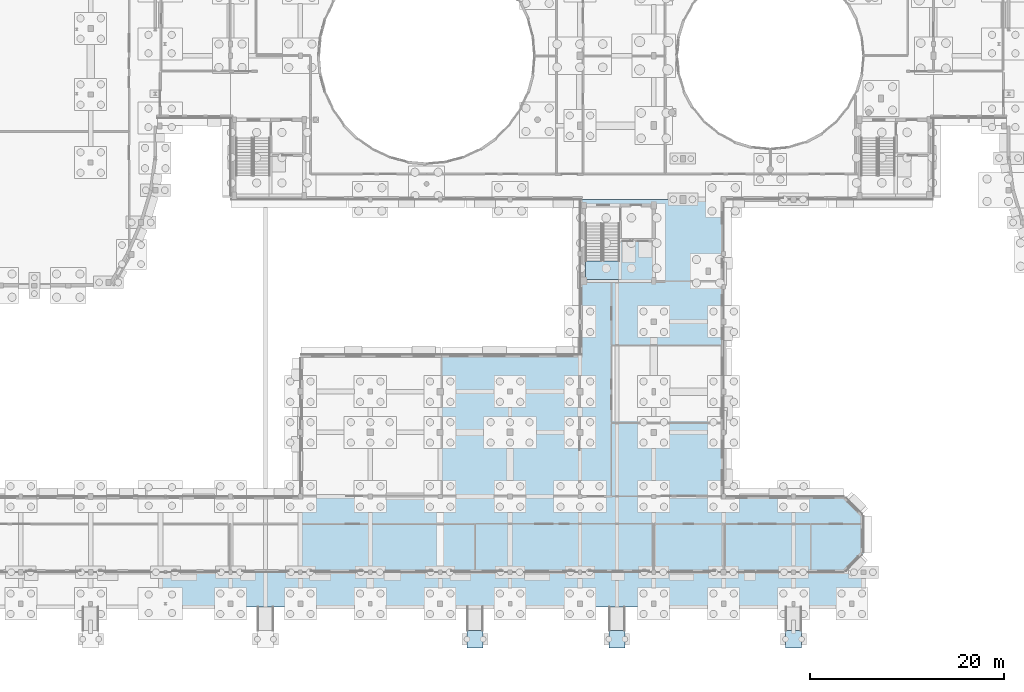
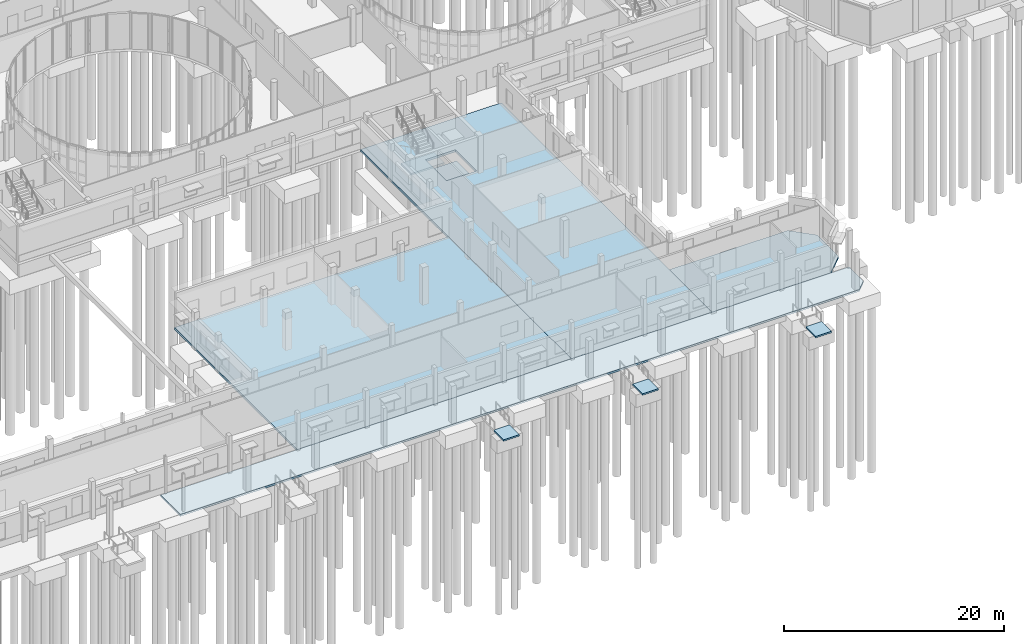
# One storey, part 50 of 93: 9 slabs, 4 elements without a shape of their own.
"""IFC4 building model written with IfcOpenShell, lengths in metres."""

from ifc_helpers import new_model, si_unit, direction, frame, origin, place, context, subcontext, project, spatial, polyline, outline, extrude, material, layer, layer_set, type_object, element, aggregate, save


model = new_model("IFC4")

# Units and contexts
model_context = context("Model", 3, precision=1e-05, world=origin(), true_north=direction((0.0, 1.0)))
body_context = subcontext(model_context, "Body", "Model", "MODEL_VIEW")
ifc_project = project(units=[si_unit("LENGTHUNIT", "METRE"), si_unit("AREAUNIT", "SQUARE_METRE"), si_unit("VOLUMEUNIT", "CUBIC_METRE"), si_unit("PLANEANGLEUNIT", "RADIAN"), si_unit("MASSUNIT", "GRAM", prefix="KILO")], contexts=[model_context])

# Site, building, storey
site_placement = place(None, origin())
site = spatial("IfcSite", under=ifc_project, at=site_placement, CompositionType="ELEMENT")
building_placement = place(site_placement, origin())
building = spatial("IfcBuilding", under=site, at=building_placement, Name="Kelanivale Promenade Academy", CompositionType="ELEMENT")
storey_placement = place(building_placement, origin())
storey = spatial("IfcBuildingStorey", under=building, at=storey_placement, Name="L00", CompositionType="ELEMENT", Elevation=0.0)

# Slabs
ifc_material = material(Name="Concrete C35/45", Category="concrete")
ifc_layer_1 = layer(ifc_material, 0.25)
ifc_layer_set_1 = layer_set([ifc_layer_1], Name="Concrete C35/45")
slab_type_1 = type_object("IfcSlabType", Name="BS-01 Slab 250mm", PredefinedType="BASESLAB", material=ifc_layer_set_1)
slab_1_placement = place(storey_placement, frame((0.0, 0.0, -0.25)))
element("IfcSlab", 1, at=slab_1_placement, inside=storey, type_object=slab_type_1, Name="L00 structural slab SLB-L00-V3M", PredefinedType="BASESLAB", context=body_context, shape_type="SweptSolid", body=[
    extrude(outline(polyline([(50.39990234375, 26.0), (50.39990234375, 3.60009765625), (79.199951171875, 3.60009765625), (79.199951171875, 26.0), (50.39990234375, 26.0)])), origin(), (0.0, 0.0, 1.0), 0.25),
])
slab_2_placement = place(storey_placement, frame((0.0, 0.0, -0.25)))
element("IfcSlab", 2, at=slab_2_placement, inside=storey, type_object=slab_type_1, Name="L00 structural slab SLB-L00-V3L", PredefinedType="BASESLAB", context=body_context, shape_type="SweptSolid", body=[
    extrude(outline(polyline([(79.199951171875, 42.0), (79.199951171875, 3.60009765625), (94.0, 3.60009765625), (94.0, 42.0), (79.199951171875, 42.0)]), holes=[polyline([(83.485107421875, 33.764892578125), (83.485107421875, 37.625), (86.635009765625, 37.625), (86.635009765625, 33.764892578125), (83.485107421875, 33.764892578125)])]), origin(), (0.0, 0.0, 1.0), 0.25),
])
slab_3_placement = place(storey_placement, frame((0.0, 0.0, -0.25)))
element("IfcSlab", 3, at=slab_3_placement, inside=storey, type_object=slab_type_1, Name="L00 structural slab SLB-L00-V3C", PredefinedType="BASESLAB", context=body_context, shape_type="SweptSolid", body=[
    extrude(outline(polyline([(106.446044921875, 3.60009765625), (108.39990234375, 5.553955078125), (108.39990234375, 9.446044921875), (106.446044921875, 11.39990234375), (94.0, 11.39990234375), (94.0, 3.60009765625), (106.446044921875, 3.60009765625)])), origin(), (0.0, 0.0, 1.0), 0.25),
])
ifc_layer_2 = layer(ifc_material, 0.300048828125)
ifc_layer_set_2 = layer_set([ifc_layer_2], Name="Concrete C35/45")
slab_type_2 = type_object("IfcSlabType", Name="BS-02 Slab 300mm", PredefinedType="BASESLAB", material=ifc_layer_set_2)
slab_4_placement = place(storey_placement, frame((0.0, 0.0, -1.85009765625)))
element("IfcSlab", 4, at=slab_4_placement, inside=storey, type_object=slab_type_2, Name="CORE-1 lift pit waterproof RC base slab (-1.550 m)", PredefinedType="BASESLAB", context=body_context, shape_type="SweptSolid", body=[
    extrude(outline(polyline([(83.155029296875, 33.43505859375), (86.965087890625, 33.43505859375), (86.965087890625, 37.955078125), (83.155029296875, 37.955078125), (83.155029296875, 33.43505859375)])), origin(), (0.0, 0.0, 1.0), 0.300048828125),
])

# Stair, slab
stair_type = type_object("IfcStairType", Name="ST-T01 Protected dog-leg ground-storey stai", PredefinedType="HALF_TURN_STAIR", material=ifc_material)
stair_placement = place(storey_placement, origin())
stair = element("IfcStair", 5, at=stair_placement, inside=storey, type_object=stair_type, Name="L00 ST-01", PredefinedType="HALF_TURN_STAIR")
ifc_layer_3 = layer(ifc_material, 0.199951171875)
ifc_layer_set_3 = layer_set([ifc_layer_3], Name="Concrete C35/45")
slab_type_3 = type_object("IfcSlabType", Name="LS-01 Slab 200mm", PredefinedType="LANDING", material=ifc_layer_set_3)
slab_5_placement = place(storey_placement, frame((0.0, 0.0, 1.89990234375)))
slab_5 = element("IfcSlab", 6, at=slab_5_placement, type_object=slab_type_3, Name="ST-01 landing 1", PredefinedType="LANDING", context=body_context, shape_type="SweptSolid", body=[
    extrude(outline(polyline([(79.764892578125, 35.64501953125), (79.764892578125, 33.764892578125), (83.264892578125, 33.764892578125), (83.264892578125, 35.64501953125), (79.764892578125, 35.64501953125)])), origin(), (0.0, 0.0, 1.0), 0.2001953125),
])
aggregate(stair, [slab_5])

# Ramp, slab
ramp_type = type_object("IfcRampType", Name="RMP-01 Accessible Plinth Ramp", PredefinedType="STRAIGHT_RUN_RAMP", material=ifc_material)
ramp_1_placement = place(storey_placement, origin())
ramp_1 = element("IfcRamp", 7, at=ramp_1_placement, inside=storey, type_object=ramp_type, Name="Accessible 1:12 promenade ramp R-04", PredefinedType="STRAIGHT_RUN_RAMP")
ifc_layer_4 = layer(ifc_material, 0.175048828125)
ifc_layer_set_4 = layer_set([ifc_layer_4], Name="Concrete C35/45")
slab_type_4 = type_object("IfcSlabType", Name="LS-02 Slab 175mm", PredefinedType="LANDING", material=ifc_layer_set_4)
slab_6_placement = place(storey_placement, frame((0.0, 0.0, -0.375)))
slab_6 = element("IfcSlab", 8, at=slab_6_placement, type_object=slab_type_4, Name="Ramp R-04 bottom approach landing", PredefinedType="LANDING", context=body_context, shape_type="SweptSolid", body=[
    extrude(outline(polyline([(67.574951171875, -4.199951171875), (69.22509765625, -4.199951171875), (69.22509765625, -2.39990234375), (67.574951171875, -2.39990234375), (67.574951171875, -4.199951171875)])), origin(), (0.0, 0.0, 1.0), 0.175048828125),
])
aggregate(ramp_1, [slab_6])

ramp_2_placement = place(storey_placement, origin())
ramp_2 = element("IfcRamp", 9, at=ramp_2_placement, inside=storey, type_object=ramp_type, Name="Accessible 1:12 promenade ramp R-05", PredefinedType="STRAIGHT_RUN_RAMP")
slab_7_placement = place(storey_placement, frame((0.0, 0.0, -0.375)))
slab_7 = element("IfcSlab", 10, at=slab_7_placement, type_object=slab_type_4, Name="Ramp R-05 bottom approach landing", PredefinedType="LANDING", context=body_context, shape_type="SweptSolid", body=[
    extrude(outline(polyline([(82.175048828125, -4.199951171875), (83.824951171875, -4.199951171875), (83.824951171875, -2.39990234375), (82.175048828125, -2.39990234375), (82.175048828125, -4.199951171875)])), origin(), (0.0, 0.0, 1.0), 0.175048828125),
])
aggregate(ramp_2, [slab_7])

ramp_3_placement = place(storey_placement, origin())
ramp_3 = element("IfcRamp", 11, at=ramp_3_placement, inside=storey, type_object=ramp_type, Name="Accessible 1:12 promenade ramp R-06", PredefinedType="STRAIGHT_RUN_RAMP")
slab_8_placement = place(storey_placement, frame((0.0, 0.0, -0.375)))
slab_8 = element("IfcSlab", 12, at=slab_8_placement, type_object=slab_type_4, Name="Ramp R-06 bottom approach landing", PredefinedType="LANDING", context=body_context, shape_type="SweptSolid", body=[
    extrude(outline(polyline([(100.375, -4.199951171875), (102.02490234375, -4.199951171875), (102.02490234375, -2.39990234375), (100.375, -2.39990234375), (100.375, -4.199951171875)])), origin(), (0.0, 0.0, 1.0), 0.175048828125),
])
aggregate(ramp_3, [slab_8])

# Slab
ifc_layer_5 = layer(ifc_material, 0.205078125)
ifc_layer_set_5 = layer_set([ifc_layer_5], Name="Concrete C35/45")
slab_type_5 = type_object("IfcSlabType", Name="PD-02 Slab 205mm", PredefinedType="FLOOR", material=ifc_layer_set_5)
slab_9_placement = place(storey_placement, frame((0.0, 0.0, -0.205078125)))
element("IfcSlab", 13, at=slab_9_placement, inside=storey, type_object=slab_type_5, Name="Harbour Promenade East Colonnade", PredefinedType="FLOOR", context=body_context, shape_type="SweptSolid", body=[
    extrude(outline(polyline([(107.39208984375, 0.0), (108.39990234375, 1.008056640625), (108.39990234375, 3.60009765625), (36.0, 3.60009765625), (36.0, 0.0), (107.39208984375, 0.0)])), origin(), (0.0, 0.0, 1.0), 0.205078125),
])

save(model, "model.ifc")
